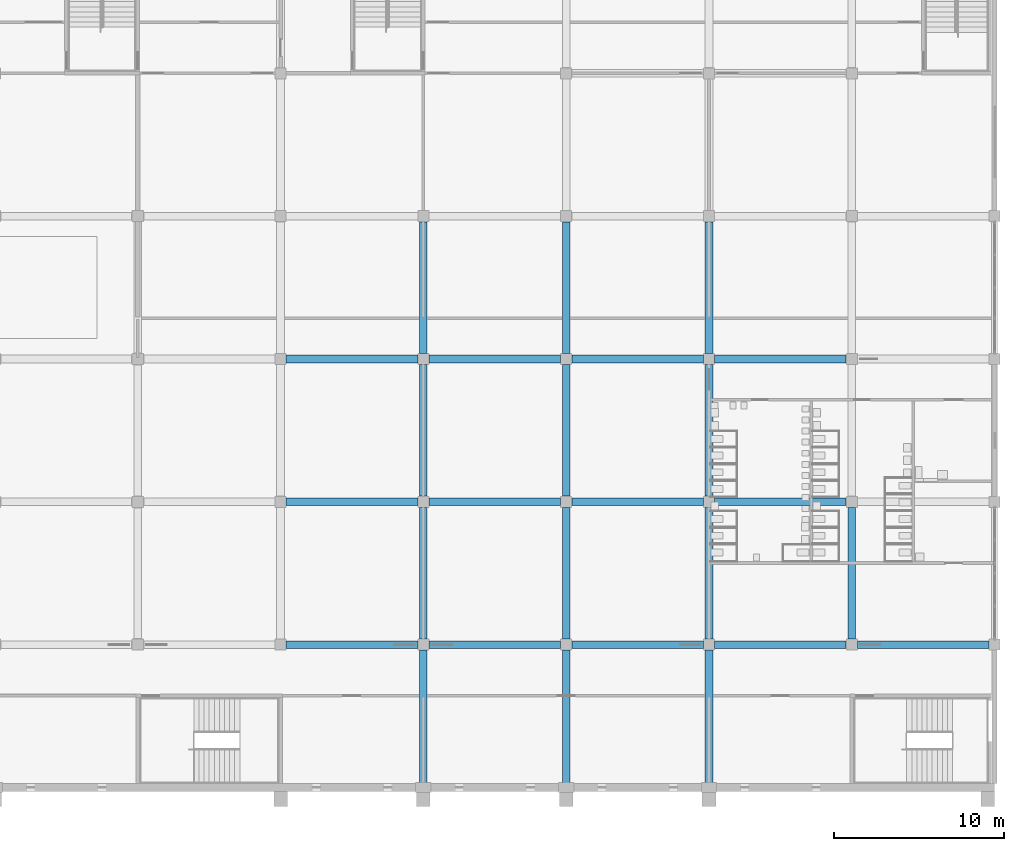
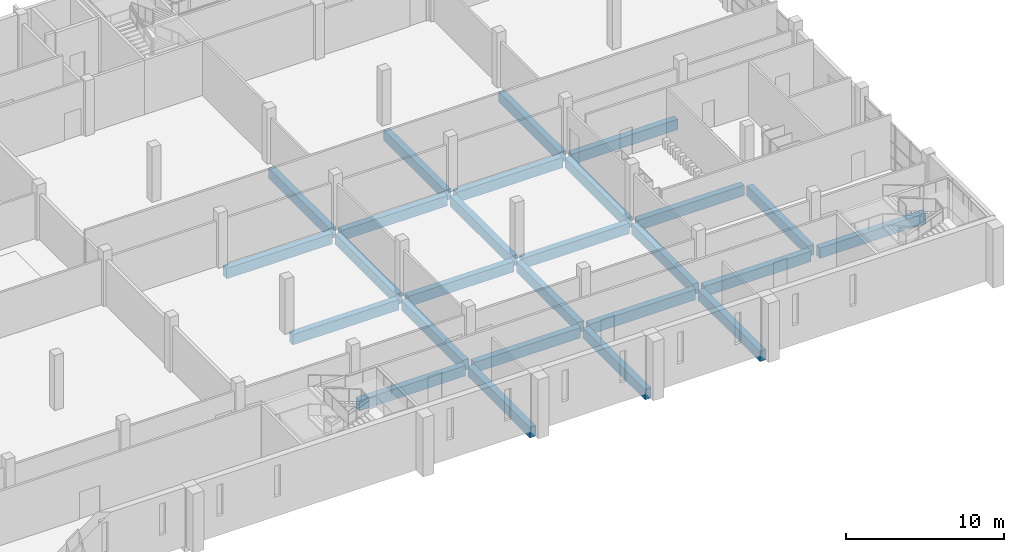
# One storey, part 6 of 64: 26 beams.
"""IFC4 building model written with IfcOpenShell, lengths in metres."""

from ifc_helpers import new_model, si_unit, direction, frame, origin, origin_2d, place, context, subcontext, project, spatial, rectangle, extrude, material, material_profile, profile_set, type_object, element, save


model = new_model("IFC4")

# Units and contexts
model_context = context("Model", 3, precision=1e-05, world=origin(), true_north=direction((0.0, 1.0)))
body_context = subcontext(model_context, "Body", "Model", "MODEL_VIEW")
ifc_project = project(units=[si_unit("LENGTHUNIT", "METRE"), si_unit("AREAUNIT", "SQUARE_METRE"), si_unit("VOLUMEUNIT", "CUBIC_METRE"), si_unit("PLANEANGLEUNIT", "RADIAN"), si_unit("MASSUNIT", "GRAM", prefix="KILO")], contexts=[model_context])

# Site, building, storey
site_placement = place(None, origin())
site = spatial("IfcSite", under=ifc_project, at=site_placement, CompositionType="ELEMENT")
building_placement = place(site_placement, origin())
building = spatial("IfcBuilding", under=site, at=building_placement, Name="Rulbaag Community and Learning Centre", CompositionType="ELEMENT")
storey_placement = place(building_placement, frame((0.0, 0.0, 5.39990234375)))
storey = spatial("IfcBuildingStorey", under=building, at=storey_placement, Name="L01", CompositionType="ELEMENT", Elevation=5.39990234375)

# Beams
ifc_material = material(Name="Concrete M40", Category="concrete")
ifc_material_profile = material_profile(ifc_material, rectangle(XDim=0.449951171875, YDim=0.800048828125, at=origin_2d()), Name="RB450x800")
ifc_profile_set = profile_set([ifc_material_profile], Name="Concrete M40")
beam_type = type_object("IfcBeamType", Name="B21 Library floor beam 450x800 Concrete M40", PredefinedType="BEAM", material=ifc_profile_set)
for number, where, z_axis, x_axis, name in (
    (1, (126.330078125, 8.39990234375, -0.699951171875), (1.0, 0.0, 0.0), (0.0, 1.0, 0.0), "BM-L01-16B-17B"),
    (2, (126.330078125, 16.800048828125, -0.699951171875), (1.0, 0.0, 0.0), (0.0, 1.0, 0.0), "BM-L01-16C-17C"),
    (3, (126.330078125, 25.199951171875, -0.699951171875), (1.0, 0.0, 0.0), (0.0, 1.0, 0.0), "BM-L01-16D-17D"),
):
    element("IfcBeam", number, at=place(storey_placement, frame(where, z_axis=z_axis, x_axis=x_axis)), inside=storey, type_object=beam_type, Name=name, PredefinedType="BEAM", context=body_context, shape_type="SweptSolid", body=[
        extrude(rectangle(XDim=0.449951171875, YDim=0.800048828125, at=origin_2d()), origin(), (0.0, 0.0, 1.0), 7.739990234375),
    ])
beam_1_placement = place(storey_placement, frame((134.39990234375, 0.22509765625, -0.699951171875), z_axis=(0.0, 1.0, 0.0), x_axis=(-1.0, 0.0, 0.0)))
element("IfcBeam", 4, at=beam_1_placement, inside=storey, type_object=beam_type, Name="BM-L01-17A-17B", PredefinedType="BEAM", context=body_context, shape_type="SweptSolid", body=[
    extrude(rectangle(XDim=0.449951171875, YDim=0.800048828125, at=origin_2d()), origin(), (0.0, 0.0, 1.0), 7.844970703125),
])
for number, where, z_axis, x_axis, name in (
    (5, (134.72998046875, 8.39990234375, -0.699951171875), (1.0, 0.0, 0.0), (0.0, 1.0, 0.0), "BM-L01-17B-18B"),
    (6, (134.39990234375, 8.72998046875, -0.699951171875), (0.0, 1.0, 0.0), (-1.0, 0.0, 0.0), "BM-L01-17B-17C"),
    (7, (134.72998046875, 16.800048828125, -0.699951171875), (1.0, 0.0, 0.0), (0.0, 1.0, 0.0), "BM-L01-17C-18C"),
):
    element("IfcBeam", number, at=place(storey_placement, frame(where, z_axis=z_axis, x_axis=x_axis)), inside=storey, type_object=beam_type, Name=name, PredefinedType="BEAM", context=body_context, shape_type="SweptSolid", body=[
        extrude(rectangle(XDim=0.449951171875, YDim=0.800048828125, at=origin_2d()), origin(), (0.0, 0.0, 1.0), 7.739990234375),
    ])
beam_2_placement = place(storey_placement, frame((134.39990234375, 17.1298828125, -0.699951171875), z_axis=(0.0, 1.0, 0.0), x_axis=(-1.0, 0.0, 0.0)))
element("IfcBeam", 8, at=beam_2_placement, inside=storey, type_object=beam_type, Name="BM-L01-17C-17D", PredefinedType="BEAM", context=body_context, shape_type="SweptSolid", body=[
    extrude(rectangle(XDim=0.449951171875, YDim=0.800048828125, at=origin_2d()), origin(), (0.0, 0.0, 1.0), 7.740234375),
])
for number, where, z_axis, x_axis, name in (
    (9, (134.72998046875, 25.199951171875, -0.699951171875), (1.0, 0.0, 0.0), (0.0, 1.0, 0.0), "BM-L01-17D-18D"),
    (10, (134.39990234375, 25.530029296875, -0.699951171875), (0.0, 1.0, 0.0), (-1.0, 0.0, 0.0), "BM-L01-17D-17E"),
):
    element("IfcBeam", number, at=place(storey_placement, frame(where, z_axis=z_axis, x_axis=x_axis)), inside=storey, type_object=beam_type, Name=name, PredefinedType="BEAM", context=body_context, shape_type="SweptSolid", body=[
        extrude(rectangle(XDim=0.449951171875, YDim=0.800048828125, at=origin_2d()), origin(), (0.0, 0.0, 1.0), 7.739990234375),
    ])
beam_3_placement = place(storey_placement, frame((142.800048828125, 0.22509765625, -0.699951171875), z_axis=(0.0, 1.0, 0.0), x_axis=(-1.0, 0.0, 0.0)))
element("IfcBeam", 11, at=beam_3_placement, inside=storey, type_object=beam_type, Name="BM-L01-18A-18B", PredefinedType="BEAM", context=body_context, shape_type="SweptSolid", body=[
    extrude(rectangle(XDim=0.449951171875, YDim=0.800048828125, at=origin_2d()), origin(), (0.0, 0.0, 1.0), 7.844970703125),
])
beam_4_placement = place(storey_placement, frame((143.1298828125, 8.39990234375, -0.699951171875), z_axis=(1.0, 0.0, 0.0), x_axis=(0.0, 1.0, 0.0)))
element("IfcBeam", 12, at=beam_4_placement, inside=storey, type_object=beam_type, Name="BM-L01-18B-19B", PredefinedType="BEAM", context=body_context, shape_type="SweptSolid", body=[
    extrude(rectangle(XDim=0.449951171875, YDim=0.800048828125, at=origin_2d()), origin(), (0.0, 0.0, 1.0), 7.740234375),
])
beam_5_placement = place(storey_placement, frame((142.800048828125, 8.72998046875, -0.699951171875), z_axis=(0.0, 1.0, 0.0), x_axis=(-1.0, 0.0, 0.0)))
element("IfcBeam", 13, at=beam_5_placement, inside=storey, type_object=beam_type, Name="BM-L01-18B-18C", PredefinedType="BEAM", context=body_context, shape_type="SweptSolid", body=[
    extrude(rectangle(XDim=0.449951171875, YDim=0.800048828125, at=origin_2d()), origin(), (0.0, 0.0, 1.0), 7.739990234375),
])
for number, where, z_axis, x_axis, name in (
    (14, (143.1298828125, 16.800048828125, -0.699951171875), (1.0, 0.0, 0.0), (0.0, 1.0, 0.0), "BM-L01-18C-19C"),
    (15, (142.800048828125, 17.1298828125, -0.699951171875), (0.0, 1.0, 0.0), (-1.0, 0.0, 0.0), "BM-L01-18C-18D"),
    (16, (143.1298828125, 25.199951171875, -0.699951171875), (1.0, 0.0, 0.0), (0.0, 1.0, 0.0), "BM-L01-18D-19D"),
):
    element("IfcBeam", number, at=place(storey_placement, frame(where, z_axis=z_axis, x_axis=x_axis)), inside=storey, type_object=beam_type, Name=name, PredefinedType="BEAM", context=body_context, shape_type="SweptSolid", body=[
        extrude(rectangle(XDim=0.449951171875, YDim=0.800048828125, at=origin_2d()), origin(), (0.0, 0.0, 1.0), 7.740234375),
    ])
beam_6_placement = place(storey_placement, frame((142.800048828125, 25.530029296875, -0.699951171875), z_axis=(0.0, 1.0, 0.0), x_axis=(-1.0, 0.0, 0.0)))
element("IfcBeam", 17, at=beam_6_placement, inside=storey, type_object=beam_type, Name="BM-L01-18D-18E", PredefinedType="BEAM", context=body_context, shape_type="SweptSolid", body=[
    extrude(rectangle(XDim=0.449951171875, YDim=0.800048828125, at=origin_2d()), origin(), (0.0, 0.0, 1.0), 7.739990234375),
])
beam_7_placement = place(storey_placement, frame((151.199951171875, 0.22509765625, -0.699951171875), z_axis=(0.0, 1.0, 0.0), x_axis=(-1.0, 0.0, 0.0)))
element("IfcBeam", 18, at=beam_7_placement, inside=storey, type_object=beam_type, Name="BM-L01-19A-19B", PredefinedType="BEAM", context=body_context, shape_type="SweptSolid", body=[
    extrude(rectangle(XDim=0.449951171875, YDim=0.800048828125, at=origin_2d()), origin(), (0.0, 0.0, 1.0), 7.844970703125),
])
for number, where, z_axis, x_axis, name in (
    (19, (151.530029296875, 8.39990234375, -0.699951171875), (1.0, 0.0, 0.0), (0.0, 1.0, 0.0), "BM-L01-19B-20B"),
    (20, (151.199951171875, 8.72998046875, -0.699951171875), (0.0, 1.0, 0.0), (-1.0, 0.0, 0.0), "BM-L01-19B-19C"),
    (21, (151.530029296875, 16.800048828125, -0.699951171875), (1.0, 0.0, 0.0), (0.0, 1.0, 0.0), "BM-L01-19C-20C"),
):
    element("IfcBeam", number, at=place(storey_placement, frame(where, z_axis=z_axis, x_axis=x_axis)), inside=storey, type_object=beam_type, Name=name, PredefinedType="BEAM", context=body_context, shape_type="SweptSolid", body=[
        extrude(rectangle(XDim=0.449951171875, YDim=0.800048828125, at=origin_2d()), origin(), (0.0, 0.0, 1.0), 7.739990234375),
    ])
beam_8_placement = place(storey_placement, frame((151.199951171875, 17.1298828125, -0.699951171875), z_axis=(0.0, 1.0, 0.0), x_axis=(-1.0, 0.0, 0.0)))
element("IfcBeam", 22, at=beam_8_placement, inside=storey, type_object=beam_type, Name="BM-L01-19C-19D", PredefinedType="BEAM", context=body_context, shape_type="SweptSolid", body=[
    extrude(rectangle(XDim=0.449951171875, YDim=0.800048828125, at=origin_2d()), origin(), (0.0, 0.0, 1.0), 7.740234375),
])
for number, where, z_axis, x_axis, name in (
    (23, (151.530029296875, 25.199951171875, -0.699951171875), (1.0, 0.0, 0.0), (0.0, 1.0, 0.0), "BM-L01-19D-20D"),
    (24, (151.199951171875, 25.530029296875, -0.699951171875), (0.0, 1.0, 0.0), (-1.0, 0.0, 0.0), "BM-L01-19D-19E"),
    (25, (159.929931640625, 8.39990234375, -0.699951171875), (1.0, 0.0, 0.0), (0.0, 1.0, 0.0), "BM-L01-20B-21B"),
    (26, (159.60009765625, 8.72998046875, -0.699951171875), (0.0, 1.0, 0.0), (-1.0, 0.0, 0.0), "BM-L01-20B-20C"),
):
    element("IfcBeam", number, at=place(storey_placement, frame(where, z_axis=z_axis, x_axis=x_axis)), inside=storey, type_object=beam_type, Name=name, PredefinedType="BEAM", context=body_context, shape_type="SweptSolid", body=[
        extrude(rectangle(XDim=0.449951171875, YDim=0.800048828125, at=origin_2d()), origin(), (0.0, 0.0, 1.0), 7.739990234375),
    ])

save(model, "model.ifc")
